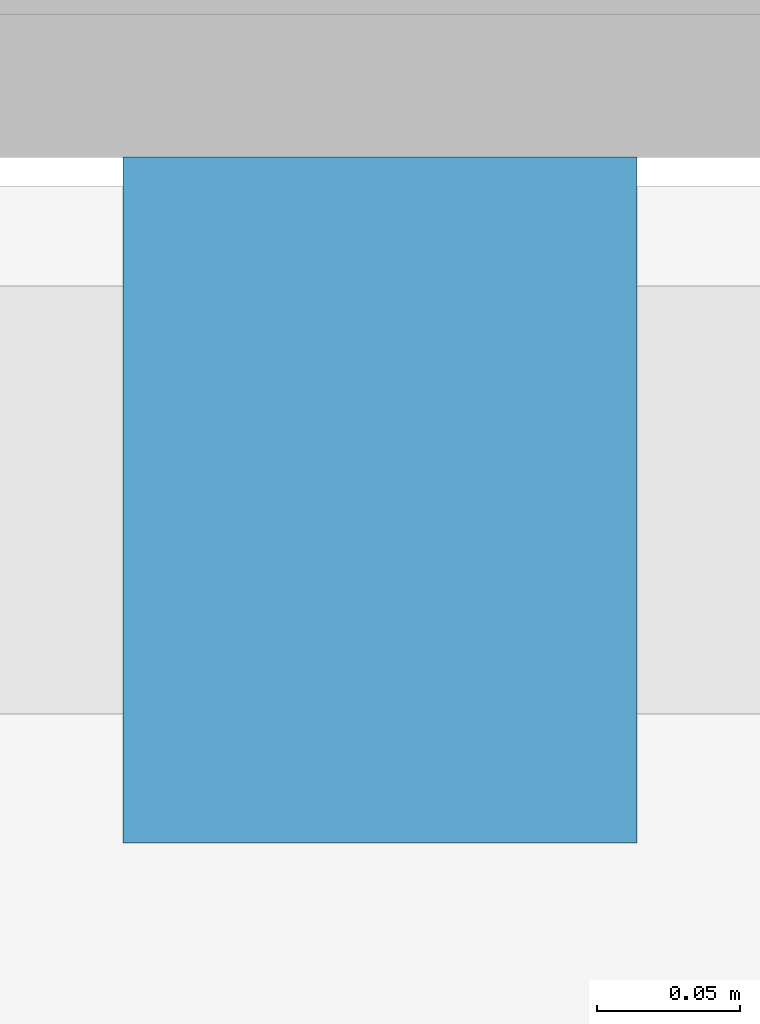
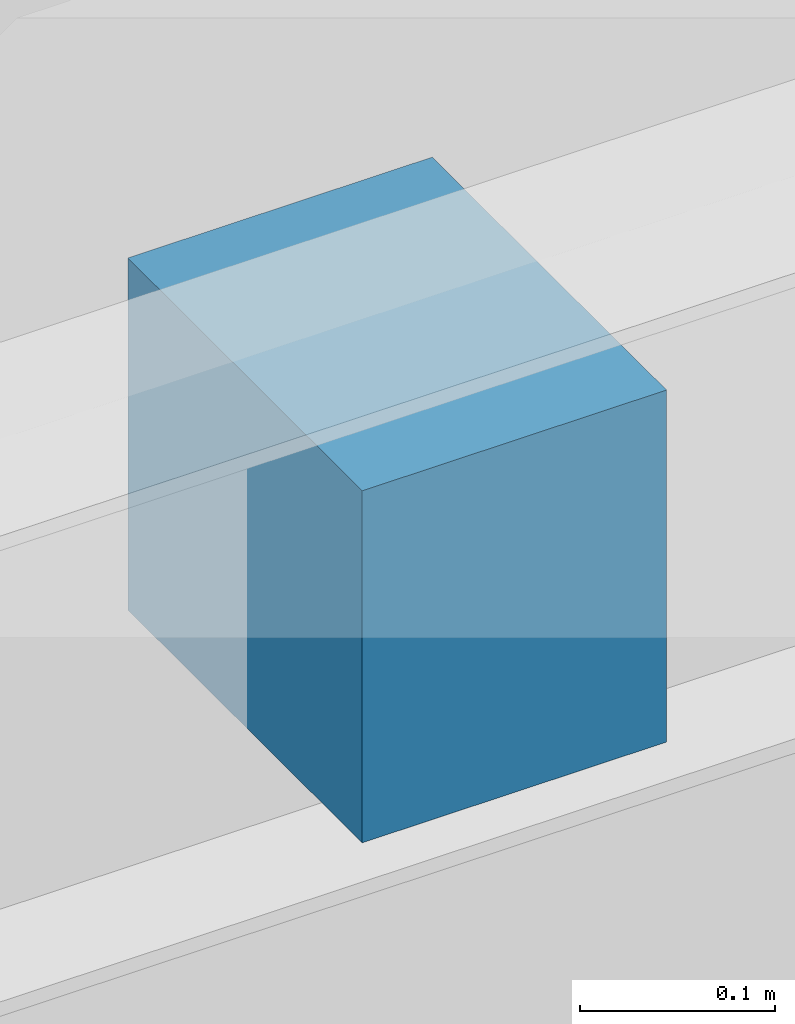
# One storey, part 12 of 19: 1 discrete accessory.
"""IFC4 building model written with IfcOpenShell, lengths in metres."""

from ifc_helpers import new_model, si_unit, direction, frame, origin, origin_2d, place, context, subcontext, project, spatial, rectangle, extrude, source, transform, mapped, material, type_object, element, save


model = new_model("IFC4")

# Units and contexts
model_context = context("Model", 3, precision=1e-05, world=origin(), true_north=direction((0.0, 1.0)))
body_context = subcontext(model_context, "Body", "Model", "MODEL_VIEW")
ifc_project = project(units=[si_unit("LENGTHUNIT", "METRE"), si_unit("AREAUNIT", "SQUARE_METRE"), si_unit("VOLUMEUNIT", "CUBIC_METRE"), si_unit("PLANEANGLEUNIT", "RADIAN"), si_unit("MASSUNIT", "GRAM", prefix="KILO")], contexts=[model_context])

# Site, building, storey
site_placement = place(None, origin())
site = spatial("IfcSite", under=ifc_project, at=site_placement, CompositionType="ELEMENT")
building_placement = place(site_placement, origin())
building = spatial("IfcBuilding", under=site, at=building_placement, Name="Liaohun Quay Tower", CompositionType="ELEMENT")
storey_placement = place(building_placement, frame((0.0, 0.0, 18.89990234375)))
storey = spatial("IfcBuildingStorey", under=building, at=storey_placement, Name="L05", CompositionType="ELEMENT", Elevation=18.89990234375)

# Discrete accessory
ifc_material = material(Name="Steel Q355D", Category="steel")
discrete_accessory_type = type_object("IfcDiscreteAccessoryType", Name="ACC-BRK-STL", PredefinedType="BRACKET", material=ifc_material)
shared_shape = source(origin(), body_context, "Body", "SweptSolid", [
    extrude(rectangle(XDim=0.179931640625, YDim=0.239990234375, at=origin_2d()), origin(), (0.0, 0.0, 1.0), 0.219970703125),
])
discrete_accessory_placement = place(storey_placement, frame((60.0, 23.280029296875, 2.6201171875), z_axis=(0.0, 0.0, 1.0), x_axis=(1.0, 0.0, 0.0)))
element("IfcDiscreteAccessory", 1, at=discrete_accessory_placement, inside=storey, type_object=discrete_accessory_type, Name="L05 Terrace Canopy Cleat Bracket", PredefinedType="BRACKET", context=body_context, shape_type="MappedRepresentation", body=[
    mapped(shared_shape, transform((0.0, 0.0, 0.0), x_axis=(1.0, 0.0, 0.0), y_axis=(0.0, 1.0, 0.0), z_axis=(0.0, 0.0, 1.0), scale=1.0)),
])

save(model, "model.ifc")
